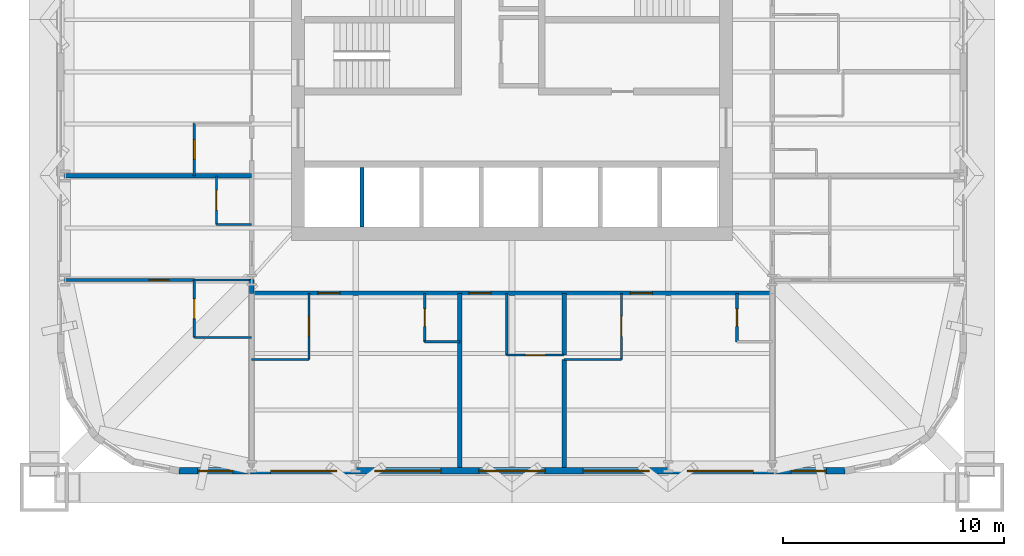
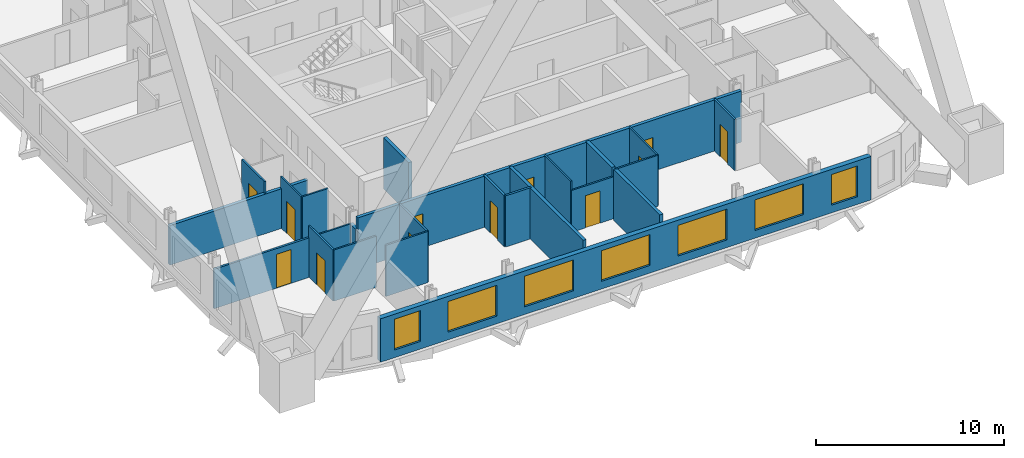
# One storey, part 3 of 9: 24 walls, 12 doors, 7 windows, 19 openings.
"""IFC4 building model written with IfcOpenShell, lengths in metres."""

from ifc_helpers import new_model, si_unit, direction, frame, frame_2d, origin, place, context, subcontext, project, spatial, rectangle, extrude, material, layer, layer_set, type_object, element, fill, save


model = new_model("IFC4")

# Units and contexts
model_context = context("Model", 3, precision=1e-05, world=origin(), true_north=direction((0.0, 1.0)))
body_context = subcontext(model_context, "Body", "Model", "MODEL_VIEW")
ifc_project = project(units=[si_unit("LENGTHUNIT", "METRE"), si_unit("AREAUNIT", "SQUARE_METRE"), si_unit("VOLUMEUNIT", "CUBIC_METRE"), si_unit("PLANEANGLEUNIT", "RADIAN"), si_unit("MASSUNIT", "GRAM", prefix="KILO")], contexts=[model_context])

# Site, building, storey
site_placement = place(None, origin())
site = spatial("IfcSite", under=ifc_project, at=site_placement, CompositionType="ELEMENT")
building_placement = place(site_placement, origin())
building = spatial("IfcBuilding", under=site, at=building_placement, Name="Turquesa Mirador Hotel Tower", CompositionType="ELEMENT")
storey_placement = place(building_placement, frame((0.0, 0.0, 93.39990234375)))
storey = spatial("IfcBuildingStorey", under=building, at=storey_placement, Name="L24", CompositionType="ELEMENT", Elevation=93.39990234375)

# Walls
ifc_material_1 = material(Name="Gypsum board on steel studs", Category="steel")
ifc_layer_1 = layer(ifc_material_1, 0.10009765625)
ifc_layer_set_1 = layer_set([ifc_layer_1], Name="BATHROOM WALL 100")
wall_type_1 = type_object("IfcWallType", Name="BATHROOM WALL 100", PredefinedType="PARTITIONING", material=ifc_layer_set_1)
wall_1_placement = place(storey_placement, frame((40.60009765625, 33.199951171875, 0.0), z_axis=(0.0, 0.0, 1.0), x_axis=(1.0, 0.0, 0.0)))
element("IfcWall", 1, at=wall_1_placement, inside=storey, type_object=wall_type_1, Name="Partition L24 001", PredefinedType="PARTITIONING", context=body_context, shape_type="SweptSolid", body=[
    extrude(rectangle(XDim=2.599853515625, YDim=0.10009765625, at=frame_2d((1.2998046875, 0.0))), origin(), (0.0, 0.0, 1.0), 2.5732421875),
])
wall_2_placement = place(storey_placement, frame((40.60009765625, 30.60009765625, 0.0), z_axis=(0.0, 0.0, 1.0), x_axis=(1.0, 0.0, 0.0)))
element("IfcWall", 2, at=wall_2_placement, inside=storey, type_object=wall_type_1, Name="Partition L24 005", PredefinedType="PARTITIONING", context=body_context, shape_type="SweptSolid", body=[
    extrude(rectangle(XDim=2.599853515625, YDim=0.10009765625, at=frame_2d((1.2998046875, 0.0))), origin(), (0.0, 0.0, 1.0), 3.330078125),
])

# Wall, opening, door
wall_3_placement = place(storey_placement, frame((54.760009765625, 29.800048828125, 0.0), z_axis=(0.0, 0.0, 1.0), x_axis=(1.0, 0.0, 0.0)))
wall_3 = element("IfcWall", 3, at=wall_3_placement, inside=storey, type_object=wall_type_1, Name="Partition L24 008", PredefinedType="PARTITIONING", context=body_context, shape_type="SweptSolid", body=[
    extrude(rectangle(XDim=2.60009765625, YDim=0.10009765625, at=frame_2d((1.300048828125, 0.0))), origin(), (0.0, 0.0, 1.0), 2.730712890625),
])
opening_1_placement = place(wall_3_placement, frame((0.85009765625, 0.0, 0.0)))
opening_1 = element("IfcOpeningElement", 4, at=opening_1_placement, cuts=wall_3, Name="Opening D02", PredefinedType="OPENING", context=body_context, shape_type="SweptSolid", body=[
    extrude(rectangle(XDim=0.89990234375, YDim=2.10009765625, at=frame_2d((0.449951171875, 1.050048828125))), frame((0.0, 0.06005859375, 0.0), z_axis=(0.0, -1.0, 0.0), x_axis=(1.0, 0.0, 0.0)), (0.0, 0.0, 1.0), 0.1201171875),
])
ifc_material_2 = material(Name="Timber veneered door", Category="wood")
door_type_1 = type_object("IfcDoorType", Name="DOOR 900X2100 EN-SUITE", OperationType="SINGLE_SWING_RIGHT", PredefinedType="DOOR", material=ifc_material_2)
door_1_placement = place(opening_1_placement, origin())
door_1 = element("IfcDoor", 5, at=door_1_placement, inside=storey, type_object=door_type_1, Name="Door 2406B", OperationType="SINGLE_SWING_RIGHT", OverallHeight=2.10009765625, OverallWidth=0.89990234375, PredefinedType="DOOR", context=body_context, shape_type="SweptSolid", body=[
    extrude(rectangle(XDim=0.89990234375, YDim=2.10009765625, at=frame_2d((0.449951171875, 1.050048828125))), frame((0.0, 0.02490234375, 0.0), z_axis=(0.0, -1.0, 0.0), x_axis=(1.0, 0.0, 0.0)), (0.0, 0.0, 1.0), 0.050048828125),
])
fill(opening_1, door_1)

# Walls
wall_4_placement = place(storey_placement, frame((43.199951171875, 29.60009765625, 0.0), z_axis=(0.0, 0.0, 1.0), x_axis=(1.0, 0.0, 0.0)))
element("IfcWall", 6, at=wall_4_placement, inside=storey, type_object=wall_type_1, Name="Partition L24 009", PredefinedType="PARTITIONING", context=body_context, shape_type="SweptSolid", body=[
    extrude(rectangle(XDim=2.60009765625, YDim=0.10009765625, at=frame_2d((1.300048828125, 0.0))), origin(), (0.0, 0.0, 1.0), 3.330078125),
])
wall_5_placement = place(storey_placement, frame((57.360107421875, 29.60009765625, 0.0), z_axis=(0.0, 0.0, 1.0), x_axis=(1.0, 0.0, 0.0)))
element("IfcWall", 7, at=wall_5_placement, inside=storey, type_object=wall_type_1, Name="Partition L24 010", PredefinedType="PARTITIONING", context=body_context, shape_type="SweptSolid", body=[
    extrude(rectangle(XDim=2.599853515625, YDim=0.10009765625, at=frame_2d((1.2998046875, 0.0))), origin(), (0.0, 0.0, 1.0), 3.330078125),
])
wall_6_placement = place(storey_placement, frame((41.60009765625, 35.719970703125, 0.0), z_axis=(0.0, 0.0, 1.0), x_axis=(1.0, 0.0, 0.0)))
element("IfcWall", 8, at=wall_6_placement, inside=storey, type_object=wall_type_1, Name="Partition L24 018", PredefinedType="PARTITIONING", context=body_context, shape_type="SweptSolid", body=[
    extrude(rectangle(XDim=1.599853515625, YDim=0.10009765625, at=frame_2d((0.7998046875, 0.0))), origin(), (0.0, 0.0, 1.0), 3.330078125),
])
wall_7_placement = place(storey_placement, frame((54.760009765625, 29.800048828125, 0.0), z_axis=(0.0, 0.0, 1.0), x_axis=(0.0, 1.0, 0.0)))
element("IfcWall", 9, at=wall_7_placement, inside=storey, type_object=wall_type_1, Name="Partition L24 039", PredefinedType="PARTITIONING", context=body_context, shape_type="SweptSolid", body=[
    extrude(rectangle(XDim=2.800048828125, YDim=0.10009765625, at=frame_2d((1.39990234375, 0.0))), origin(), (0.0, 0.0, 1.0), 3.330078125),
])

# Wall, opening, door
wall_8_placement = place(storey_placement, frame((41.60009765625, 35.719970703125, 0.0), z_axis=(0.0, 0.0, 1.0), x_axis=(0.0, 1.0, 0.0)))
wall_8 = element("IfcWall", 10, at=wall_8_placement, inside=storey, type_object=wall_type_1, Name="Partition L24 044", PredefinedType="PARTITIONING", context=body_context, shape_type="SweptSolid", body=[
    extrude(rectangle(XDim=2.199951171875, YDim=0.10009765625, at=frame_2d((1.10009765625, 0.0))), origin(), (0.0, 0.0, 1.0), 3.330078125),
])
opening_2_placement = place(wall_8_placement, frame((0.64990234375, 0.0, 0.0)))
opening_2 = element("IfcOpeningElement", 11, at=opening_2_placement, cuts=wall_8, Name="Opening D06", PredefinedType="OPENING", context=body_context, shape_type="SweptSolid", body=[
    extrude(rectangle(XDim=0.89990234375, YDim=2.10009765625, at=frame_2d((0.449951171875, 1.050048828125))), frame((0.0, 0.06005859375, 0.0), z_axis=(0.0, -1.0, 0.0), x_axis=(1.0, 0.0, 0.0)), (0.0, 0.0, 1.0), 0.1201171875),
])
ifc_material_3 = material(Name="Laminate door", Category="wood")
door_type_2 = type_object("IfcDoorType", Name="DOOR 900X2100 WC", OperationType="SINGLE_SWING_LEFT", PredefinedType="DOOR", material=ifc_material_3)
door_2_placement = place(opening_2_placement, origin())
door_2 = element("IfcDoor", 12, at=door_2_placement, inside=storey, type_object=door_type_2, Name="Door 2413W", OperationType="SINGLE_SWING_LEFT", OverallHeight=2.10009765625, OverallWidth=0.89990234375, PredefinedType="DOOR", context=body_context, shape_type="SweptSolid", body=[
    extrude(rectangle(XDim=0.89990234375, YDim=2.10009765625, at=frame_2d((0.449951171875, 1.050048828125))), frame((0.0, 0.02490234375, 0.0), z_axis=(0.0, -1.0, 0.0), x_axis=(1.0, 0.0, 0.0)), (0.0, 0.0, 1.0), 0.050048828125),
])
fill(opening_2, door_2)

wall_9_placement = place(storey_placement, frame((40.60009765625, 30.60009765625, 0.0), z_axis=(0.0, 0.0, 1.0), x_axis=(0.0, 1.0, 0.0)))
wall_9 = element("IfcWall", 13, at=wall_9_placement, inside=storey, type_object=wall_type_1, Name="Partition L24 047", PredefinedType="PARTITIONING", context=body_context, shape_type="SweptSolid", body=[
    extrude(rectangle(XDim=2.599853515625, YDim=0.10009765625, at=frame_2d((1.2998046875, 0.0))), origin(), (0.0, 0.0, 1.0), 3.330078125),
])
opening_3_placement = place(wall_9_placement, frame((0.85009765625, 0.0, 0.0)))
opening_3 = element("IfcOpeningElement", 14, at=opening_3_placement, cuts=wall_9, Name="Opening D02", PredefinedType="OPENING", context=body_context, shape_type="SweptSolid", body=[
    extrude(rectangle(XDim=0.89990234375, YDim=2.10009765625, at=frame_2d((0.449951171875, 1.050048828125))), frame((0.0, 0.06005859375, 0.0), z_axis=(0.0, -1.0, 0.0), x_axis=(1.0, 0.0, 0.0)), (0.0, 0.0, 1.0), 0.1201171875),
])
door_3_placement = place(opening_3_placement, origin())
door_3 = element("IfcDoor", 15, at=door_3_placement, inside=storey, type_object=door_type_1, Name="Door 2413B", OperationType="SINGLE_SWING_RIGHT", OverallHeight=2.10009765625, OverallWidth=0.89990234375, PredefinedType="DOOR", context=body_context, shape_type="SweptSolid", body=[
    extrude(rectangle(XDim=0.89990234375, YDim=2.10009765625, at=frame_2d((0.449951171875, 1.050048828125))), frame((0.0, 0.02490234375, 0.0), z_axis=(0.0, -1.0, 0.0), x_axis=(1.0, 0.0, 0.0)), (0.0, 0.0, 1.0), 0.050048828125),
])
fill(opening_3, door_3)

wall_10_placement = place(storey_placement, frame((40.60009765625, 37.919921875, 0.0), z_axis=(0.0, 0.0, 1.0), x_axis=(0.0, 1.0, 0.0)))
wall_10 = element("IfcWall", 16, at=wall_10_placement, inside=storey, type_object=wall_type_1, Name="Partition L24 048", PredefinedType="PARTITIONING", context=body_context, shape_type="SweptSolid", body=[
    extrude(rectangle(XDim=2.400146484375, YDim=0.10009765625, at=frame_2d((1.2001953125, 0.0))), origin(), (0.0, 0.0, 1.0), 3.330078125),
])
opening_4_placement = place(wall_10_placement, frame((0.75, 0.0, 0.0)))
opening_4 = element("IfcOpeningElement", 17, at=opening_4_placement, cuts=wall_10, Name="Opening D17", PredefinedType="OPENING", context=body_context, shape_type="SweptSolid", body=[
    extrude(rectangle(XDim=0.89990234375, YDim=2.199951171875, at=frame_2d((0.449951171875, 1.10009765625))), frame((0.0, 0.06005859375, 0.0), z_axis=(0.0, -1.0, 0.0), x_axis=(1.0, 0.0, 0.0)), (0.0, 0.0, 1.0), 0.1201171875),
])
ifc_material_4 = material(Name="Timber veneered door", Category="wood")
door_type_3 = type_object("IfcDoorType", Name="DOOR 900X2200 SUITE INTERNAL", OperationType="SINGLE_SWING_LEFT", PredefinedType="DOOR", material=ifc_material_4)
door_4_placement = place(opening_4_placement, origin())
door_4 = element("IfcDoor", 18, at=door_4_placement, inside=storey, type_object=door_type_3, Name="Door L24-LGP", OperationType="SINGLE_SWING_LEFT", OverallHeight=2.199951171875, OverallWidth=0.89990234375, PredefinedType="DOOR", context=body_context, shape_type="SweptSolid", body=[
    extrude(rectangle(XDim=0.89990234375, YDim=2.199951171875, at=frame_2d((0.449951171875, 1.10009765625))), frame((0.0, 0.02490234375, 0.0), z_axis=(0.0, -1.0, 0.0), x_axis=(1.0, 0.0, 0.0)), (0.0, 0.0, 1.0), 0.050048828125),
])
fill(opening_4, door_4)

wall_11_placement = place(storey_placement, frame((45.800048828125, 29.60009765625, 0.0), z_axis=(0.0, 0.0, 1.0), x_axis=(0.0, 1.0, 0.0)))
wall_11 = element("IfcWall", 19, at=wall_11_placement, inside=storey, type_object=wall_type_1, Name="Partition L24 055", PredefinedType="PARTITIONING", context=body_context, shape_type="SweptSolid", body=[
    extrude(rectangle(XDim=3.0, YDim=0.10009765625, at=frame_2d((1.5, 0.0))), origin(), (0.0, 0.0, 1.0), 3.330078125),
])
opening_5_placement = place(wall_11_placement, frame((1.050048828125, 0.0, 0.0)))
opening_5 = element("IfcOpeningElement", 20, at=opening_5_placement, cuts=wall_11, Name="Opening D02", PredefinedType="OPENING", context=body_context, shape_type="SweptSolid", body=[
    extrude(rectangle(XDim=0.89990234375, YDim=2.10009765625, at=frame_2d((0.449951171875, 1.050048828125))), frame((0.0, 0.06005859375, 0.0), z_axis=(0.0, -1.0, 0.0), x_axis=(1.0, 0.0, 0.0)), (0.0, 0.0, 1.0), 0.1201171875),
])
door_5_placement = place(opening_5_placement, origin())
door_5 = element("IfcDoor", 21, at=door_5_placement, inside=storey, type_object=door_type_1, Name="Door 2405B", OperationType="SINGLE_SWING_RIGHT", OverallHeight=2.10009765625, OverallWidth=0.89990234375, PredefinedType="DOOR", context=body_context, shape_type="SweptSolid", body=[
    extrude(rectangle(XDim=0.89990234375, YDim=2.10009765625, at=frame_2d((0.449951171875, 1.050048828125))), frame((0.0, 0.02490234375, 0.0), z_axis=(0.0, -1.0, 0.0), x_axis=(1.0, 0.0, 0.0)), (0.0, 0.0, 1.0), 0.050048828125),
])
fill(opening_5, door_5)

wall_12_placement = place(storey_placement, frame((59.9599609375, 29.60009765625, 0.0), z_axis=(0.0, 0.0, 1.0), x_axis=(0.0, 1.0, 0.0)))
wall_12 = element("IfcWall", 22, at=wall_12_placement, inside=storey, type_object=wall_type_1, Name="Partition L24 074", PredefinedType="PARTITIONING", context=body_context, shape_type="SweptSolid", body=[
    extrude(rectangle(XDim=3.0, YDim=0.10009765625, at=frame_2d((1.5, 0.0))), origin(), (0.0, 0.0, 1.0), 3.330078125),
])
opening_6_placement = place(wall_12_placement, frame((1.050048828125, 0.0, 0.0)))
opening_6 = element("IfcOpeningElement", 23, at=opening_6_placement, cuts=wall_12, Name="Opening D02", PredefinedType="OPENING", context=body_context, shape_type="SweptSolid", body=[
    extrude(rectangle(XDim=0.89990234375, YDim=2.10009765625, at=frame_2d((0.449951171875, 1.050048828125))), frame((0.0, 0.06005859375, 0.0), z_axis=(0.0, -1.0, 0.0), x_axis=(1.0, 0.0, 0.0)), (0.0, 0.0, 1.0), 0.1201171875),
])
door_6_placement = place(opening_6_placement, origin())
door_6 = element("IfcDoor", 24, at=door_6_placement, inside=storey, type_object=door_type_1, Name="Door 2407B", OperationType="SINGLE_SWING_RIGHT", OverallHeight=2.10009765625, OverallWidth=0.89990234375, PredefinedType="DOOR", context=body_context, shape_type="SweptSolid", body=[
    extrude(rectangle(XDim=0.89990234375, YDim=2.10009765625, at=frame_2d((0.449951171875, 1.050048828125))), frame((0.0, 0.02490234375, 0.0), z_axis=(0.0, -1.0, 0.0), x_axis=(1.0, 0.0, 0.0)), (0.0, 0.0, 1.0), 0.050048828125),
])
fill(opening_6, door_6)

# Wall, openings, doors
ifc_material_5 = material(Name="Fire-rated gypsum board on steel studs", Category="steel")
ifc_layer_2 = layer(ifc_material_5, 0.199951171875)
ifc_layer_set_2 = layer_set([ifc_layer_2], Name="CORRIDOR WALL 200")
wall_type_2 = type_object("IfcWallType", Name="CORRIDOR WALL 200", PredefinedType="PARTITIONING", material=ifc_layer_set_2)
wall_13_placement = place(storey_placement, frame((43.199951171875, 32.60009765625, 0.0), z_axis=(0.0, 0.0, 1.0), x_axis=(1.0, 0.0, 0.0)))
wall_13 = element("IfcWall", 25, at=wall_13_placement, inside=storey, type_object=wall_type_2, Name="Partition L24 004", PredefinedType="PARTITIONING", context=body_context, shape_type="SweptSolid", body=[
    extrude(rectangle(XDim=23.60009765625, YDim=0.199951171875, at=frame_2d((11.800048828125, 0.0))), origin(), (0.0, 0.0, 1.0), 3.330078125),
])
opening_7_placement = place(wall_13_placement, frame((3.0, 0.0, 0.0)))
opening_7 = element("IfcOpeningElement", 26, at=opening_7_placement, cuts=wall_13, Name="Opening D01", PredefinedType="OPENING", context=body_context, shape_type="SweptSolid", body=[
    extrude(rectangle(XDim=1.0, YDim=2.199951171875, at=frame_2d((0.5, 1.10009765625))), frame((0.0, 0.10986328125, 0.0), z_axis=(0.0, -1.0, 0.0), x_axis=(1.0, 0.0, 0.0)), (0.0, 0.0, 1.0), 0.219970703125),
])
opening_8_placement = place(wall_13_placement, frame((9.840087890625, 0.0, 0.0)))
opening_8 = element("IfcOpeningElement", 27, at=opening_8_placement, cuts=wall_13, Name="Opening D01", PredefinedType="OPENING", context=body_context, shape_type="SweptSolid", body=[
    extrude(rectangle(XDim=1.0, YDim=2.199951171875, at=frame_2d((0.5, 1.10009765625))), frame((0.0, 0.10986328125, 0.0), z_axis=(0.0, -1.0, 0.0), x_axis=(1.0, 0.0, 0.0)), (0.0, 0.0, 1.0), 0.219970703125),
])
opening_9_placement = place(wall_13_placement, frame((17.159912109375, 0.0, 0.0)))
opening_9 = element("IfcOpeningElement", 28, at=opening_9_placement, cuts=wall_13, Name="Opening D01", PredefinedType="OPENING", context=body_context, shape_type="SweptSolid", body=[
    extrude(rectangle(XDim=1.0, YDim=2.199951171875, at=frame_2d((0.5, 1.10009765625))), frame((0.0, 0.10986328125, 0.0), z_axis=(0.0, -1.0, 0.0), x_axis=(1.0, 0.0, 0.0)), (0.0, 0.0, 1.0), 0.219970703125),
])
ifc_material_6 = material(Name="Timber veneered fire door", Category="wood")
door_type_4 = type_object("IfcDoorType", Name="DOOR 1000X2200 GUEST ENTRY", OperationType="SINGLE_SWING_LEFT", PredefinedType="DOOR", material=ifc_material_6)
door_7_placement = place(opening_7_placement, origin())
door_7 = element("IfcDoor", 29, at=door_7_placement, inside=storey, type_object=door_type_4, Name="Door 2405", OperationType="SINGLE_SWING_LEFT", OverallHeight=2.199951171875, OverallWidth=1.0, PredefinedType="DOOR", context=body_context, shape_type="SweptSolid", body=[
    extrude(rectangle(XDim=1.0, YDim=2.199951171875, at=frame_2d((0.5, 1.10009765625))), frame((0.0, 0.02490234375, 0.0), z_axis=(0.0, -1.0, 0.0), x_axis=(1.0, 0.0, 0.0)), (0.0, 0.0, 1.0), 0.050048828125),
])
fill(opening_7, door_7)
door_8_placement = place(opening_8_placement, origin())
door_8 = element("IfcDoor", 30, at=door_8_placement, inside=storey, type_object=door_type_4, Name="Door 2406", OperationType="SINGLE_SWING_LEFT", OverallHeight=2.199951171875, OverallWidth=1.0, PredefinedType="DOOR", context=body_context, shape_type="SweptSolid", body=[
    extrude(rectangle(XDim=1.0, YDim=2.199951171875, at=frame_2d((0.5, 1.10009765625))), frame((0.0, 0.02490234375, 0.0), z_axis=(0.0, -1.0, 0.0), x_axis=(1.0, 0.0, 0.0)), (0.0, 0.0, 1.0), 0.050048828125),
])
fill(opening_8, door_8)
door_9_placement = place(opening_9_placement, origin())
door_9 = element("IfcDoor", 31, at=door_9_placement, inside=storey, type_object=door_type_4, Name="Door 2407", OperationType="SINGLE_SWING_LEFT", OverallHeight=2.199951171875, OverallWidth=1.0, PredefinedType="DOOR", context=body_context, shape_type="SweptSolid", body=[
    extrude(rectangle(XDim=1.0, YDim=2.199951171875, at=frame_2d((0.5, 1.10009765625))), frame((0.0, 0.02490234375, 0.0), z_axis=(0.0, -1.0, 0.0), x_axis=(1.0, 0.0, 0.0)), (0.0, 0.0, 1.0), 0.050048828125),
])
fill(opening_9, door_9)

# Wall
wall_14_placement = place(storey_placement, frame((43.199951171875, 32.60009765625, 0.0), z_axis=(0.0, 0.0, 1.0), x_axis=(0.0, 1.0, 0.0)))
element("IfcWall", 32, at=wall_14_placement, inside=storey, type_object=wall_type_2, Name="Partition L24 077", PredefinedType="PARTITIONING", context=body_context, shape_type="SweptSolid", body=[
    extrude(rectangle(XDim=0.619873046875, YDim=0.199951171875, at=frame_2d((0.31005859375, 0.0))), origin(), (0.0, 0.0, 1.0), 2.5732421875),
])

# Wall, openings, windows
ifc_material_7 = material(Name="Limestone cladding on concrete block", Category="masonry")
ifc_layer_3 = layer(ifc_material_7, 0.300048828125)
ifc_layer_set_3 = layer_set([ifc_layer_3], Name="FACADE WALL 300 STONE SCREEN")
wall_type_3 = type_object("IfcWallType", Name="FACADE WALL 300 STONE SCREEN", PredefinedType="SOLIDWALL", material=ifc_layer_set_3)
wall_15_placement = place(storey_placement, frame((39.89990234375, 24.550048828125, 0.0), z_axis=(0.0, 0.0, 1.0), x_axis=(1.0, 0.0, 0.0)))
wall_15 = element("IfcWall", 33, at=wall_15_placement, inside=storey, type_object=wall_type_3, Name="Facade wall L24 19", PredefinedType="SOLIDWALL", context=body_context, shape_type="SweptSolid", body=[
    extrude(rectangle(XDim=30.2001953125, YDim=0.300048828125, at=frame_2d((15.10009765625, 0.0))), origin(), (0.0, 0.0, 1.0), 2.830078125),
])
opening_10_placement = place(wall_15_placement, frame((0.85009765625, 0.0, 0.5)))
opening_10 = element("IfcOpeningElement", 34, at=opening_10_placement, cuts=wall_15, Name="Opening WN3", PredefinedType="OPENING", context=body_context, shape_type="SweptSolid", body=[
    extrude(rectangle(XDim=1.60009765625, YDim=2.0, at=frame_2d((0.800048828125, 1.0))), frame((0.0, 0.159912109375, 0.0), z_axis=(0.0, -1.0, 0.0), x_axis=(1.0, 0.0, 0.0)), (0.0, 0.0, 1.0), 0.320068359375),
])
opening_11_placement = place(wall_15_placement, frame((4.159912109375, 0.0, 0.5)))
opening_11 = element("IfcOpeningElement", 35, at=opening_11_placement, cuts=wall_15, Name="Opening WN1", PredefinedType="OPENING", context=body_context, shape_type="SweptSolid", body=[
    extrude(rectangle(XDim=3.0, YDim=2.0, at=frame_2d((1.5, 1.0))), frame((0.0, 0.159912109375, 0.0), z_axis=(0.0, -1.0, 0.0), x_axis=(1.0, 0.0, 0.0)), (0.0, 0.0, 1.0), 0.320068359375),
])
opening_12_placement = place(wall_15_placement, frame((8.8798828125, 0.0, 0.5)))
opening_12 = element("IfcOpeningElement", 36, at=opening_12_placement, cuts=wall_15, Name="Opening WN1", PredefinedType="OPENING", context=body_context, shape_type="SweptSolid", body=[
    extrude(rectangle(XDim=3.0, YDim=2.0, at=frame_2d((1.5, 1.0))), frame((0.0, 0.159912109375, 0.0), z_axis=(0.0, -1.0, 0.0), x_axis=(1.0, 0.0, 0.0)), (0.0, 0.0, 1.0), 0.320068359375),
])
opening_13_placement = place(wall_15_placement, frame((13.60009765625, 0.0, 0.5)))
opening_13 = element("IfcOpeningElement", 37, at=opening_13_placement, cuts=wall_15, Name="Opening WN1", PredefinedType="OPENING", context=body_context, shape_type="SweptSolid", body=[
    extrude(rectangle(XDim=3.0, YDim=2.0, at=frame_2d((1.5, 1.0))), frame((0.0, 0.159912109375, 0.0), z_axis=(0.0, -1.0, 0.0), x_axis=(1.0, 0.0, 0.0)), (0.0, 0.0, 1.0), 0.320068359375),
])
opening_14_placement = place(wall_15_placement, frame((18.320068359375, 0.0, 0.5)))
opening_14 = element("IfcOpeningElement", 38, at=opening_14_placement, cuts=wall_15, Name="Opening WN1", PredefinedType="OPENING", context=body_context, shape_type="SweptSolid", body=[
    extrude(rectangle(XDim=3.0, YDim=2.0, at=frame_2d((1.5, 1.0))), frame((0.0, 0.159912109375, 0.0), z_axis=(0.0, -1.0, 0.0), x_axis=(1.0, 0.0, 0.0)), (0.0, 0.0, 1.0), 0.320068359375),
])
opening_15_placement = place(wall_15_placement, frame((23.0400390625, 0.0, 0.5)))
opening_15 = element("IfcOpeningElement", 39, at=opening_15_placement, cuts=wall_15, Name="Opening WN1", PredefinedType="OPENING", context=body_context, shape_type="SweptSolid", body=[
    extrude(rectangle(XDim=3.0, YDim=2.0, at=frame_2d((1.5, 1.0))), frame((0.0, 0.159912109375, 0.0), z_axis=(0.0, -1.0, 0.0), x_axis=(1.0, 0.0, 0.0)), (0.0, 0.0, 1.0), 0.320068359375),
])
opening_16_placement = place(wall_15_placement, frame((27.75, 0.0, 0.5)))
opening_16 = element("IfcOpeningElement", 40, at=opening_16_placement, cuts=wall_15, Name="Opening WN3", PredefinedType="OPENING", context=body_context, shape_type="SweptSolid", body=[
    extrude(rectangle(XDim=1.60009765625, YDim=2.0, at=frame_2d((0.800048828125, 1.0))), frame((0.0, 0.159912109375, 0.0), z_axis=(0.0, -1.0, 0.0), x_axis=(1.0, 0.0, 0.0)), (0.0, 0.0, 1.0), 0.320068359375),
])
ifc_material_8 = material(Name="Ceramic-fritted laminated glass", Category="glass")
window_type_1 = type_object("IfcWindowType", Name="FRITTED WINDOW 1600X2000", PartitioningType="DOUBLE_PANEL_HORIZONTAL", PredefinedType="WINDOW", material=ifc_material_8)
window_1_placement = place(opening_10_placement, origin())
window_1 = element("IfcWindow", 41, at=window_1_placement, inside=storey, type_object=window_type_1, Name="Window L24", OverallHeight=2.0, OverallWidth=1.60009765625, PartitioningType="SINGLE_PANEL", PredefinedType="WINDOW", context=body_context, shape_type="SweptSolid", body=[
    extrude(rectangle(XDim=1.60009765625, YDim=2.0, at=frame_2d((0.800048828125, 1.0))), frame((0.0, 0.030029296875, 0.0), z_axis=(0.0, -1.0, 0.0), x_axis=(1.0, 0.0, 0.0)), (0.0, 0.0, 1.0), 0.06005859375),
])
fill(opening_10, window_1)
window_2_placement = place(opening_16_placement, origin())
window_2 = element("IfcWindow", 42, at=window_2_placement, inside=storey, type_object=window_type_1, Name="Window L24", OverallHeight=2.0, OverallWidth=1.60009765625, PartitioningType="SINGLE_PANEL", PredefinedType="WINDOW", context=body_context, shape_type="SweptSolid", body=[
    extrude(rectangle(XDim=1.60009765625, YDim=2.0, at=frame_2d((0.800048828125, 1.0))), frame((0.0, 0.030029296875, 0.0), z_axis=(0.0, -1.0, 0.0), x_axis=(1.0, 0.0, 0.0)), (0.0, 0.0, 1.0), 0.06005859375),
])
fill(opening_16, window_2)
ifc_material_9 = material(Name="Ceramic-fritted laminated glass", Category="glass")
window_type_2 = type_object("IfcWindowType", Name="FRITTED WINDOW 3000X2000", PartitioningType="DOUBLE_PANEL_HORIZONTAL", PredefinedType="WINDOW", material=ifc_material_9)
window_3_placement = place(opening_11_placement, origin())
window_3 = element("IfcWindow", 43, at=window_3_placement, inside=storey, type_object=window_type_2, Name="Window L24", OverallHeight=2.0, OverallWidth=3.0, PartitioningType="SINGLE_PANEL", PredefinedType="WINDOW", context=body_context, shape_type="SweptSolid", body=[
    extrude(rectangle(XDim=3.0, YDim=2.0, at=frame_2d((1.5, 1.0))), frame((0.0, 0.030029296875, 0.0), z_axis=(0.0, -1.0, 0.0), x_axis=(1.0, 0.0, 0.0)), (0.0, 0.0, 1.0), 0.06005859375),
])
fill(opening_11, window_3)
window_4_placement = place(opening_12_placement, origin())
window_4 = element("IfcWindow", 44, at=window_4_placement, inside=storey, type_object=window_type_2, Name="Window L24", OverallHeight=2.0, OverallWidth=3.0, PartitioningType="SINGLE_PANEL", PredefinedType="WINDOW", context=body_context, shape_type="SweptSolid", body=[
    extrude(rectangle(XDim=3.0, YDim=2.0, at=frame_2d((1.5, 1.0))), frame((0.0, 0.030029296875, 0.0), z_axis=(0.0, -1.0, 0.0), x_axis=(1.0, 0.0, 0.0)), (0.0, 0.0, 1.0), 0.06005859375),
])
fill(opening_12, window_4)
window_5_placement = place(opening_13_placement, origin())
window_5 = element("IfcWindow", 45, at=window_5_placement, inside=storey, type_object=window_type_2, Name="Window L24", OverallHeight=2.0, OverallWidth=3.0, PartitioningType="SINGLE_PANEL", PredefinedType="WINDOW", context=body_context, shape_type="SweptSolid", body=[
    extrude(rectangle(XDim=3.0, YDim=2.0, at=frame_2d((1.5, 1.0))), frame((0.0, 0.030029296875, 0.0), z_axis=(0.0, -1.0, 0.0), x_axis=(1.0, 0.0, 0.0)), (0.0, 0.0, 1.0), 0.06005859375),
])
fill(opening_13, window_5)
window_6_placement = place(opening_14_placement, origin())
window_6 = element("IfcWindow", 46, at=window_6_placement, inside=storey, type_object=window_type_2, Name="Window L24", OverallHeight=2.0, OverallWidth=3.0, PartitioningType="SINGLE_PANEL", PredefinedType="WINDOW", context=body_context, shape_type="SweptSolid", body=[
    extrude(rectangle(XDim=3.0, YDim=2.0, at=frame_2d((1.5, 1.0))), frame((0.0, 0.030029296875, 0.0), z_axis=(0.0, -1.0, 0.0), x_axis=(1.0, 0.0, 0.0)), (0.0, 0.0, 1.0), 0.06005859375),
])
fill(opening_14, window_6)
window_7_placement = place(opening_15_placement, origin())
window_7 = element("IfcWindow", 47, at=window_7_placement, inside=storey, type_object=window_type_2, Name="Window L24", OverallHeight=2.0, OverallWidth=3.0, PartitioningType="SINGLE_PANEL", PredefinedType="WINDOW", context=body_context, shape_type="SweptSolid", body=[
    extrude(rectangle(XDim=3.0, YDim=2.0, at=frame_2d((1.5, 1.0))), frame((0.0, 0.030029296875, 0.0), z_axis=(0.0, -1.0, 0.0), x_axis=(1.0, 0.0, 0.0)), (0.0, 0.0, 1.0), 0.06005859375),
])
fill(opening_15, window_7)

# Walls
ifc_material_10 = material(Name="Fire-rated gypsum shaft wall on steel studs", Category="steel")
ifc_layer_4 = layer(ifc_material_10, 0.199951171875)
ifc_layer_set_4 = layer_set([ifc_layer_4], Name="LIFT SHAFT DIVIDER 200")
wall_type_4 = type_object("IfcWallType", Name="LIFT SHAFT DIVIDER 200", PredefinedType="PARTITIONING", material=ifc_layer_set_4)
wall_16_placement = place(storey_placement, frame((48.199951171875, 35.60009765625, 0.0), z_axis=(0.0, 0.0, 1.0), x_axis=(0.0, 1.0, 0.0)))
element("IfcWall", 48, at=wall_16_placement, inside=storey, type_object=wall_type_4, Name="Lift shaft divider", PredefinedType="PARTITIONING", context=body_context, shape_type="SweptSolid", body=[
    extrude(rectangle(XDim=2.699951171875, YDim=0.199951171875, at=frame_2d((1.35009765625, 0.0))), origin(), (0.0, 0.0, 1.0), 3.330078125),
])
ifc_material_11 = material(Name="Fire-rated gypsum board on steel studs", Category="steel")
ifc_layer_5 = layer(ifc_material_11, 0.199951171875)
ifc_layer_set_5 = layer_set([ifc_layer_5], Name="PARTY WALL 200")
wall_type_5 = type_object("IfcWallType", Name="PARTY WALL 200", PredefinedType="PARTITIONING", material=ifc_layer_set_5)
wall_17_placement = place(storey_placement, frame((34.699951171875, 37.919921875, 0.0), z_axis=(0.0, 0.0, 1.0), x_axis=(1.0, 0.0, 0.0)))
element("IfcWall", 49, at=wall_17_placement, inside=storey, type_object=wall_type_5, Name="Partition L24 016", PredefinedType="PARTITIONING", context=body_context, shape_type="SweptSolid", body=[
    extrude(rectangle(XDim=8.5, YDim=0.199951171875, at=frame_2d((4.25, 0.0))), origin(), (0.0, 0.0, 1.0), 2.5732421875),
])
wall_18_placement = place(storey_placement, frame((52.639892578125, 24.699951171875, 0.0), z_axis=(0.0, 0.0, 1.0), x_axis=(0.0, 1.0, 0.0)))
element("IfcWall", 50, at=wall_18_placement, inside=storey, type_object=wall_type_5, Name="Partition L24 051", PredefinedType="PARTITIONING", context=body_context, shape_type="SweptSolid", body=[
    extrude(rectangle(XDim=7.900146484375, YDim=0.199951171875, at=frame_2d((3.9501953125, 0.0))), origin(), (0.0, 0.0, 1.0), 3.330078125),
])
wall_19_placement = place(storey_placement, frame((57.360107421875, 24.699951171875, 0.0), z_axis=(0.0, 0.0, 1.0), x_axis=(0.0, 1.0, 0.0)))
element("IfcWall", 51, at=wall_19_placement, inside=storey, type_object=wall_type_5, Name="Partition L24 069", PredefinedType="PARTITIONING", context=body_context, shape_type="SweptSolid", body=[
    extrude(rectangle(XDim=4.900146484375, YDim=0.199951171875, at=frame_2d((2.4501953125, 0.0))), origin(), (0.0, 0.0, 1.0), 3.330078125),
])
wall_20_placement = place(storey_placement, frame((57.360107421875, 29.800048828125, 0.0), z_axis=(0.0, 0.0, 1.0), x_axis=(0.0, 1.0, 0.0)))
element("IfcWall", 52, at=wall_20_placement, inside=storey, type_object=wall_type_5, Name="Partition L24 070", PredefinedType="PARTITIONING", context=body_context, shape_type="SweptSolid", body=[
    extrude(rectangle(XDim=2.800048828125, YDim=0.199951171875, at=frame_2d((1.39990234375, 0.0))), origin(), (0.0, 0.0, 1.0), 3.330078125),
])

# Wall, opening, door
ifc_material_12 = material(Name="Acoustic gypsum board on steel studs", Category="steel")
ifc_layer_6 = layer(ifc_material_12, 0.125)
ifc_layer_set_6 = layer_set([ifc_layer_6], Name="SUITE PARTITION 125")
wall_type_6 = type_object("IfcWallType", Name="SUITE PARTITION 125", PredefinedType="PARTITIONING", material=ifc_layer_set_6)
wall_21_placement = place(storey_placement, frame((34.699951171875, 33.199951171875, 0.0), z_axis=(0.0, 0.0, 1.0), x_axis=(1.0, 0.0, 0.0)))
wall_21 = element("IfcWall", 53, at=wall_21_placement, inside=storey, type_object=wall_type_6, Name="Partition L24 002", PredefinedType="PARTITIONING", context=body_context, shape_type="SweptSolid", body=[
    extrude(rectangle(XDim=5.900146484375, YDim=0.125, at=frame_2d((2.9501953125, 0.0))), origin(), (0.0, 0.0, 1.0), 2.5732421875),
])
opening_17_placement = place(wall_21_placement, frame((3.85009765625, 0.0, 0.0)))
opening_17 = element("IfcOpeningElement", 54, at=opening_17_placement, cuts=wall_21, Name="Opening D17", PredefinedType="OPENING", context=body_context, shape_type="SweptSolid", body=[
    extrude(rectangle(XDim=0.89990234375, YDim=2.199951171875, at=frame_2d((0.449951171875, 1.10009765625))), frame((0.0, 0.072509765625, 0.0), z_axis=(0.0, -1.0, 0.0), x_axis=(1.0, 0.0, 0.0)), (0.0, 0.0, 1.0), 0.14501953125),
])
door_10_placement = place(opening_17_placement, origin())
door_10 = element("IfcDoor", 55, at=door_10_placement, inside=storey, type_object=door_type_3, Name="Door 2413R", OperationType="SINGLE_SWING_LEFT", OverallHeight=2.199951171875, OverallWidth=0.89990234375, PredefinedType="DOOR", context=body_context, shape_type="SweptSolid", body=[
    extrude(rectangle(XDim=0.89990234375, YDim=2.199951171875, at=frame_2d((0.449951171875, 1.10009765625))), frame((0.0, 0.02490234375, 0.0), z_axis=(0.0, -1.0, 0.0), x_axis=(1.0, 0.0, 0.0)), (0.0, 0.0, 1.0), 0.050048828125),
])
fill(opening_17, door_10)

# Wall
wall_22_placement = place(storey_placement, frame((51.0400390625, 30.39990234375, 0.0), z_axis=(0.0, 0.0, 1.0), x_axis=(1.0, 0.0, 0.0)))
element("IfcWall", 56, at=wall_22_placement, inside=storey, type_object=wall_type_6, Name="Partition L24 006", PredefinedType="PARTITIONING", context=body_context, shape_type="SweptSolid", body=[
    extrude(rectangle(XDim=1.599853515625, YDim=0.125, at=frame_2d((0.7998046875, 0.0))), origin(), (0.0, 0.0, 1.0), 3.330078125),
])

# Wall, opening, door
wall_23_placement = place(storey_placement, frame((51.0400390625, 30.39990234375, 0.0), z_axis=(0.0, 0.0, 1.0), x_axis=(0.0, 1.0, 0.0)))
wall_23 = element("IfcWall", 57, at=wall_23_placement, inside=storey, type_object=wall_type_6, Name="Partition L24 053", PredefinedType="PARTITIONING", context=body_context, shape_type="SweptSolid", body=[
    extrude(rectangle(XDim=2.2001953125, YDim=0.125, at=frame_2d((1.10009765625, 0.0))), origin(), (0.0, 0.0, 1.0), 3.330078125),
])
opening_18_placement = place(wall_23_placement, frame((0.699951171875, 0.0, 0.0)))
opening_18 = element("IfcOpeningElement", 58, at=opening_18_placement, cuts=wall_23, Name="Opening D20", PredefinedType="OPENING", context=body_context, shape_type="SweptSolid", body=[
    extrude(rectangle(XDim=0.800048828125, YDim=2.10009765625, at=frame_2d((0.39990234375, 1.050048828125))), frame((0.0, 0.072509765625, 0.0), z_axis=(0.0, -1.0, 0.0), x_axis=(1.0, 0.0, 0.0)), (0.0, 0.0, 1.0), 0.14501953125),
])
ifc_material_13 = material(Name="Timber veneered sliding door", Category="wood")
door_type_5 = type_object("IfcDoorType", Name="DOOR 800X2100 WARDROBE", OperationType="SLIDING_TO_LEFT", PredefinedType="DOOR", material=ifc_material_13)
door_11_placement = place(opening_18_placement, origin())
door_11 = element("IfcDoor", 59, at=door_11_placement, inside=storey, type_object=door_type_5, Name="Door 2405W", OperationType="SLIDING_TO_LEFT", OverallHeight=2.10009765625, OverallWidth=0.800048828125, PredefinedType="DOOR", context=body_context, shape_type="SweptSolid", body=[
    extrude(rectangle(XDim=0.800048828125, YDim=2.10009765625, at=frame_2d((0.39990234375, 1.050048828125))), frame((0.0, 0.02490234375, 0.0), z_axis=(0.0, -1.0, 0.0), x_axis=(1.0, 0.0, 0.0)), (0.0, 0.0, 1.0), 0.050048828125),
])
fill(opening_18, door_11)

wall_24_placement = place(storey_placement, frame((65.199951171875, 30.39990234375, 0.0), z_axis=(0.0, 0.0, 1.0), x_axis=(0.0, 1.0, 0.0)))
wall_24 = element("IfcWall", 60, at=wall_24_placement, inside=storey, type_object=wall_type_6, Name="Partition L24 057", PredefinedType="PARTITIONING", context=body_context, shape_type="SweptSolid", body=[
    extrude(rectangle(XDim=2.2001953125, YDim=0.125, at=frame_2d((1.10009765625, 0.0))), origin(), (0.0, 0.0, 1.0), 3.330078125),
])
opening_19_placement = place(wall_24_placement, frame((0.699951171875, 0.0, 0.0)))
opening_19 = element("IfcOpeningElement", 61, at=opening_19_placement, cuts=wall_24, Name="Opening D20", PredefinedType="OPENING", context=body_context, shape_type="SweptSolid", body=[
    extrude(rectangle(XDim=0.800048828125, YDim=2.10009765625, at=frame_2d((0.39990234375, 1.050048828125))), frame((0.0, 0.072509765625, 0.0), z_axis=(0.0, -1.0, 0.0), x_axis=(1.0, 0.0, 0.0)), (0.0, 0.0, 1.0), 0.14501953125),
])
door_12_placement = place(opening_19_placement, origin())
door_12 = element("IfcDoor", 62, at=door_12_placement, inside=storey, type_object=door_type_5, Name="Door 2407W", OperationType="SLIDING_TO_LEFT", OverallHeight=2.10009765625, OverallWidth=0.800048828125, PredefinedType="DOOR", context=body_context, shape_type="SweptSolid", body=[
    extrude(rectangle(XDim=0.800048828125, YDim=2.10009765625, at=frame_2d((0.39990234375, 1.050048828125))), frame((0.0, 0.02490234375, 0.0), z_axis=(0.0, -1.0, 0.0), x_axis=(1.0, 0.0, 0.0)), (0.0, 0.0, 1.0), 0.050048828125),
])
fill(opening_19, door_12)

save(model, "model.ifc")
